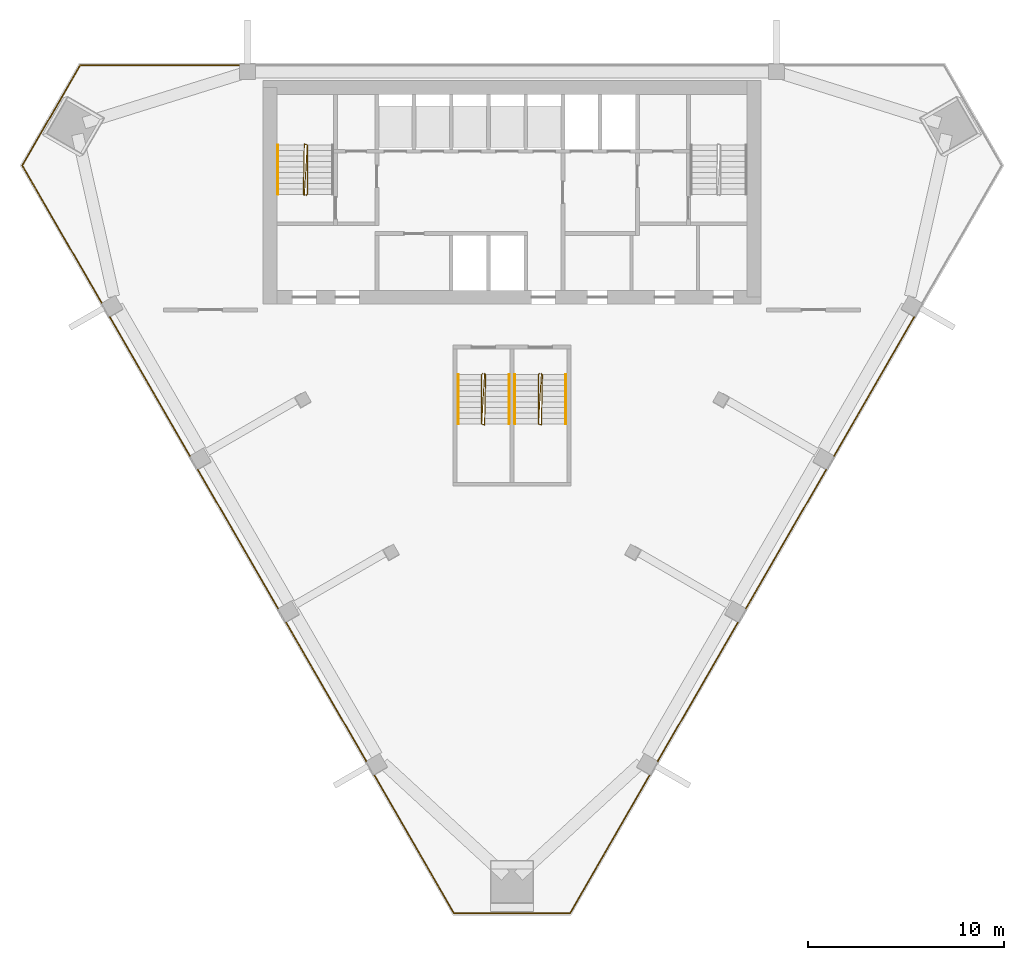
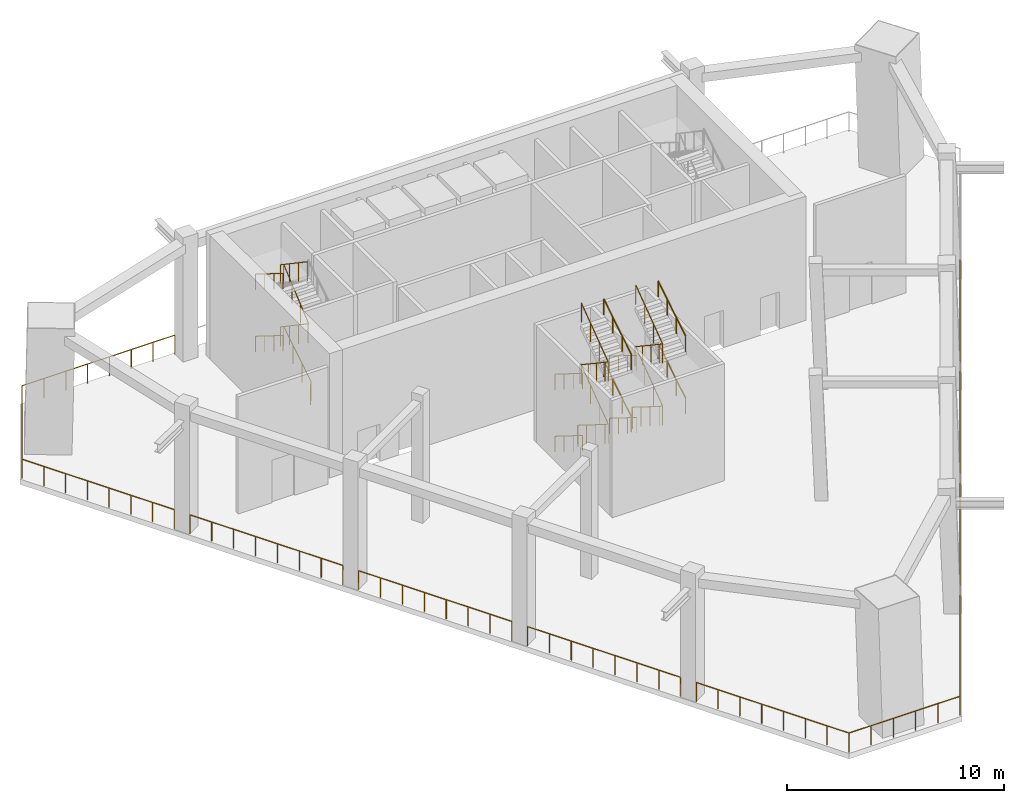
# One storey, part 4 of 6: 21 railings.
"""IFC4 building model written with IfcOpenShell, lengths in metres."""

from ifc_helpers import new_model, si_unit, direction, frame, origin, origin_2d, place, context, subcontext, project, spatial, circle, extrude, material, type_object, element, save


model = new_model("IFC4")

# Units and contexts
model_context = context("Model", 3, precision=1e-05, world=origin(), true_north=direction((0.0, 1.0)))
body_context = subcontext(model_context, "Body", "Model", "MODEL_VIEW")
ifc_project = project(units=[si_unit("LENGTHUNIT", "METRE"), si_unit("AREAUNIT", "SQUARE_METRE"), si_unit("VOLUMEUNIT", "CUBIC_METRE"), si_unit("PLANEANGLEUNIT", "RADIAN"), si_unit("MASSUNIT", "GRAM", prefix="KILO")], contexts=[model_context])

# Site, building, storey
site_placement = place(None, origin())
site = spatial("IfcSite", under=ifc_project, at=site_placement, CompositionType="ELEMENT")
building_placement = place(site_placement, origin())
building = spatial("IfcBuilding", under=site, at=building_placement, Name="Altiplano Prism Tower", CompositionType="ELEMENT")
storey_placement = place(building_placement, frame((0.0, 0.0, 212.39990234375)))
storey = spatial("IfcBuildingStorey", under=building, at=storey_placement, Name="L55", CompositionType="ELEMENT", Elevation=212.39990234375)

# Railings
ifc_material = material(Name="Steel S355", Category="steel")
railing_type_1 = type_object("IfcRailingType", Name="Open-edge guard 1100", PredefinedType="GUARDRAIL", material=ifc_material)
for number, where, name in (
    (1, (105.5302734375, 92.02978515625, 0.0), "Open-edge guard L55"),
    (2, (101.0302734375, 84.235595703125, 0.0), "Open-edge guard L55"),
    (3, (96.5302734375, 76.44140625, 0.0), "Open-edge guard L55"),
):
    element("IfcRailing", number, at=place(storey_placement, frame(where)), inside=storey, type_object=railing_type_1, Name=name, PredefinedType="GUARDRAIL", context=body_context, shape_type="SweptSolid", body=[
        extrude(circle(Radius=0.02490234375, at=origin_2d()), frame((0.0, 0.0, 1.0751953125), z_axis=(-0.500001788232, -0.866024371346, 0.0), x_axis=(0.866024371346, -0.500001788232, 0.0)), (0.0, 0.0, 1.0), 8.1708984375),
        extrude(circle(Radius=0.02490234375, at=origin_2d()), origin(), (0.0, 0.0, 1.0), 1.050048828125),
        extrude(circle(Radius=0.02490234375, at=origin_2d()), frame((-0.583740234375, -1.010986328125, 0.0)), (0.0, 0.0, 1.0), 1.050048828125),
        extrude(circle(Radius=0.02490234375, at=origin_2d()), frame((-1.167236328125, -2.021728515625, 0.0)), (0.0, 0.0, 1.0), 1.050048828125),
        extrude(circle(Radius=0.02490234375, at=origin_2d()), frame((-1.7509765625, -3.03271484375, 0.0)), (0.0, 0.0, 1.0), 1.050048828125),
        extrude(circle(Radius=0.02490234375, at=origin_2d()), frame((-2.33447265625, -4.04345703125, 0.0)), (0.0, 0.0, 1.0), 1.050048828125),
        extrude(circle(Radius=0.02490234375, at=origin_2d()), frame((-2.918212890625, -5.054443359375, 0.0)), (0.0, 0.0, 1.0), 1.050048828125),
        extrude(circle(Radius=0.02490234375, at=origin_2d()), frame((-3.501708984375, -6.065185546875, 0.0)), (0.0, 0.0, 1.0), 1.050048828125),
        extrude(circle(Radius=0.02490234375, at=origin_2d()), frame((-4.08544921875, -7.076171875, 0.0)), (0.0, 0.0, 1.0), 1.050048828125),
    ])
railing_1_placement = place(storey_placement, frame((92.0302734375, 68.647216796875, 0.0)))
element("IfcRailing", 4, at=railing_1_placement, inside=storey, type_object=railing_type_1, Name="Open-edge guard L55", PredefinedType="GUARDRAIL", context=body_context, shape_type="SweptSolid", body=[
    extrude(circle(Radius=0.02490234375, at=origin_2d()), frame((0.0, 0.0, 1.0751953125), z_axis=(-0.500000246922, -0.866025261224, 0.0), x_axis=(0.866025261224, -0.500000246922, 0.0)), (0.0, 0.0, 1.0), 8.14013671875),
    extrude(circle(Radius=0.02490234375, at=origin_2d()), frame((-4.070068359375, -7.049560546875, 1.0751953125), z_axis=(-1.0, 0.0, 0.0), x_axis=(0.0, -1.0, 0.0)), (0.0, 0.0, 1.0), 5.92041015625),
    extrude(circle(Radius=0.02490234375, at=origin_2d()), frame((-9.990478515625, -7.049560546875, 1.0751953125), z_axis=(-0.500000246922, 0.866025261224, 0.0), x_axis=(-0.866025261224, -0.500000246922, 0.0)), (0.0, 0.0, 1.0), 8.14013671875),
    extrude(circle(Radius=0.02490234375, at=origin_2d()), origin(), (0.0, 0.0, 1.0), 1.050048828125),
    extrude(circle(Radius=0.02490234375, at=origin_2d()), frame((-0.58154296875, -1.007080078125, 0.0)), (0.0, 0.0, 1.0), 1.050048828125),
    extrude(circle(Radius=0.02490234375, at=origin_2d()), frame((-1.162841796875, -2.01416015625, 0.0)), (0.0, 0.0, 1.0), 1.050048828125),
    extrude(circle(Radius=0.02490234375, at=origin_2d()), frame((-1.744384765625, -3.021240234375, 0.0)), (0.0, 0.0, 1.0), 1.050048828125),
    extrude(circle(Radius=0.02490234375, at=origin_2d()), frame((-2.32568359375, -4.0283203125, 0.0)), (0.0, 0.0, 1.0), 1.050048828125),
    extrude(circle(Radius=0.02490234375, at=origin_2d()), frame((-2.9072265625, -5.035400390625, 0.0)), (0.0, 0.0, 1.0), 1.050048828125),
    extrude(circle(Radius=0.02490234375, at=origin_2d()), frame((-3.488525390625, -6.04248046875, 0.0)), (0.0, 0.0, 1.0), 1.050048828125),
    extrude(circle(Radius=0.02490234375, at=origin_2d()), frame((-4.070068359375, -7.049560546875, 0.0)), (0.0, 0.0, 1.0), 1.050048828125),
    extrude(circle(Radius=0.02490234375, at=origin_2d()), frame((-5.254150390625, -7.049560546875, 0.0)), (0.0, 0.0, 1.0), 1.050048828125),
    extrude(circle(Radius=0.02490234375, at=origin_2d()), frame((-6.438232421875, -7.049560546875, 0.0)), (0.0, 0.0, 1.0), 1.050048828125),
    extrude(circle(Radius=0.02490234375, at=origin_2d()), frame((-7.622314453125, -7.049560546875, 0.0)), (0.0, 0.0, 1.0), 1.050048828125),
    extrude(circle(Radius=0.02490234375, at=origin_2d()), frame((-8.806396484375, -7.049560546875, 0.0)), (0.0, 0.0, 1.0), 1.050048828125),
    extrude(circle(Radius=0.02490234375, at=origin_2d()), frame((-9.990478515625, -7.049560546875, 0.0)), (0.0, 0.0, 1.0), 1.050048828125),
    extrude(circle(Radius=0.02490234375, at=origin_2d()), frame((-10.572021484375, -6.04248046875, 0.0)), (0.0, 0.0, 1.0), 1.050048828125),
    extrude(circle(Radius=0.02490234375, at=origin_2d()), frame((-11.1533203125, -5.035400390625, 0.0)), (0.0, 0.0, 1.0), 1.050048828125),
    extrude(circle(Radius=0.02490234375, at=origin_2d()), frame((-11.73486328125, -4.0283203125, 0.0)), (0.0, 0.0, 1.0), 1.050048828125),
    extrude(circle(Radius=0.02490234375, at=origin_2d()), frame((-12.316162109375, -3.021240234375, 0.0)), (0.0, 0.0, 1.0), 1.050048828125),
    extrude(circle(Radius=0.02490234375, at=origin_2d()), frame((-12.897705078125, -2.01416015625, 0.0)), (0.0, 0.0, 1.0), 1.050048828125),
    extrude(circle(Radius=0.02490234375, at=origin_2d()), frame((-13.47900390625, -1.007080078125, 0.0)), (0.0, 0.0, 1.0), 1.050048828125),
    extrude(circle(Radius=0.02490234375, at=origin_2d()), frame((-14.060546875, 0.0, 0.0)), (0.0, 0.0, 1.0), 1.050048828125),
])
for number, where, name in (
    (5, (77.55517578125, 69.365234375, 0.0), "Open-edge guard L55"),
    (6, (73.05517578125, 77.159423828125, 0.0), "Open-edge guard L55"),
    (7, (68.55517578125, 84.95361328125, 0.0), "Open-edge guard L55"),
):
    element("IfcRailing", number, at=place(storey_placement, frame(where)), inside=storey, type_object=railing_type_1, Name=name, PredefinedType="GUARDRAIL", context=body_context, shape_type="SweptSolid", body=[
        extrude(circle(Radius=0.02490234375, at=origin_2d()), frame((0.0, 0.0, 1.0751953125), z_axis=(-0.500001788232, 0.866024371346, 0.0), x_axis=(-0.866024371346, -0.500001788232, 0.0)), (0.0, 0.0, 1.0), 8.1708984375),
        extrude(circle(Radius=0.02490234375, at=origin_2d()), origin(), (0.0, 0.0, 1.0), 1.050048828125),
        extrude(circle(Radius=0.02490234375, at=origin_2d()), frame((-0.583740234375, 1.010986328125, 0.0)), (0.0, 0.0, 1.0), 1.050048828125),
        extrude(circle(Radius=0.02490234375, at=origin_2d()), frame((-1.167236328125, 2.021728515625, 0.0)), (0.0, 0.0, 1.0), 1.050048828125),
        extrude(circle(Radius=0.02490234375, at=origin_2d()), frame((-1.7509765625, 3.03271484375, 0.0)), (0.0, 0.0, 1.0), 1.050048828125),
        extrude(circle(Radius=0.02490234375, at=origin_2d()), frame((-2.33447265625, 4.04345703125, 0.0)), (0.0, 0.0, 1.0), 1.050048828125),
        extrude(circle(Radius=0.02490234375, at=origin_2d()), frame((-2.918212890625, 5.054443359375, 0.0)), (0.0, 0.0, 1.0), 1.050048828125),
        extrude(circle(Radius=0.02490234375, at=origin_2d()), frame((-3.501708984375, 6.065185546875, 0.0)), (0.0, 0.0, 1.0), 1.050048828125),
        extrude(circle(Radius=0.02490234375, at=origin_2d()), frame((-4.08544921875, 7.076171875, 0.0)), (0.0, 0.0, 1.0), 1.050048828125),
    ])
railing_2_placement = place(storey_placement, frame((64.05517578125, 92.747802734375, 0.0)))
element("IfcRailing", 8, at=railing_2_placement, inside=storey, type_object=railing_type_1, Name="Open-edge guard L55", PredefinedType="GUARDRAIL", context=body_context, shape_type="SweptSolid", body=[
    extrude(circle(Radius=0.02490234375, at=origin_2d()), frame((0.0, 0.0, 1.0751953125), z_axis=(-0.499984725761, 0.866034222191, 0.0), x_axis=(-0.866034222191, -0.499984725761, 0.0)), (0.0, 0.0, 1.0), 8.111572265625),
    extrude(circle(Radius=0.02490234375, at=origin_2d()), frame((-4.0556640625, 7.02490234375, 1.0751953125), z_axis=(0.500002072072, 0.86602420747, 0.0), x_axis=(-0.86602420747, 0.500002072072, 0.0)), (0.0, 0.0, 1.0), 5.92041015625),
    extrude(circle(Radius=0.02490234375, at=origin_2d()), frame((-1.095458984375, 12.152099609375, 1.0751953125), z_axis=(1.0, 0.0, 0.0), x_axis=(0.0, 1.0, 0.0)), (0.0, 0.0, 1.0), 8.140380859375),
    extrude(circle(Radius=0.02490234375, at=origin_2d()), origin(), (0.0, 0.0, 1.0), 1.050048828125),
    extrude(circle(Radius=0.02490234375, at=origin_2d()), frame((-0.579345703125, 1.003662109375, 0.0)), (0.0, 0.0, 1.0), 1.050048828125),
    extrude(circle(Radius=0.02490234375, at=origin_2d()), frame((-1.15869140625, 2.007080078125, 0.0)), (0.0, 0.0, 1.0), 1.050048828125),
    extrude(circle(Radius=0.02490234375, at=origin_2d()), frame((-1.738037109375, 3.0107421875, 0.0)), (0.0, 0.0, 1.0), 1.050048828125),
    extrude(circle(Radius=0.02490234375, at=origin_2d()), frame((-2.317626953125, 4.01416015625, 0.0)), (0.0, 0.0, 1.0), 1.050048828125),
    extrude(circle(Radius=0.02490234375, at=origin_2d()), frame((-2.89697265625, 5.017822265625, 0.0)), (0.0, 0.0, 1.0), 1.050048828125),
    extrude(circle(Radius=0.02490234375, at=origin_2d()), frame((-3.476318359375, 6.021240234375, 0.0)), (0.0, 0.0, 1.0), 1.050048828125),
    extrude(circle(Radius=0.02490234375, at=origin_2d()), frame((-4.0556640625, 7.02490234375, 0.0)), (0.0, 0.0, 1.0), 1.050048828125),
    extrude(circle(Radius=0.02490234375, at=origin_2d()), frame((-3.463623046875, 8.05029296875, 0.0)), (0.0, 0.0, 1.0), 1.050048828125),
    extrude(circle(Radius=0.02490234375, at=origin_2d()), frame((-2.87158203125, 9.07568359375, 0.0)), (0.0, 0.0, 1.0), 1.050048828125),
    extrude(circle(Radius=0.02490234375, at=origin_2d()), frame((-2.279541015625, 10.101318359375, 0.0)), (0.0, 0.0, 1.0), 1.050048828125),
    extrude(circle(Radius=0.02490234375, at=origin_2d()), frame((-1.6875, 11.126708984375, 0.0)), (0.0, 0.0, 1.0), 1.050048828125),
    extrude(circle(Radius=0.02490234375, at=origin_2d()), frame((-1.095458984375, 12.152099609375, 0.0)), (0.0, 0.0, 1.0), 1.050048828125),
    extrude(circle(Radius=0.02490234375, at=origin_2d()), frame((0.0673828125, 12.152099609375, 0.0)), (0.0, 0.0, 1.0), 1.050048828125),
    extrude(circle(Radius=0.02490234375, at=origin_2d()), frame((1.23046875, 12.152099609375, 0.0)), (0.0, 0.0, 1.0), 1.050048828125),
    extrude(circle(Radius=0.02490234375, at=origin_2d()), frame((2.393310546875, 12.152099609375, 0.0)), (0.0, 0.0, 1.0), 1.050048828125),
    extrude(circle(Radius=0.02490234375, at=origin_2d()), frame((3.55615234375, 12.152099609375, 0.0)), (0.0, 0.0, 1.0), 1.050048828125),
    extrude(circle(Radius=0.02490234375, at=origin_2d()), frame((4.718994140625, 12.152099609375, 0.0)), (0.0, 0.0, 1.0), 1.050048828125),
    extrude(circle(Radius=0.02490234375, at=origin_2d()), frame((5.882080078125, 12.152099609375, 0.0)), (0.0, 0.0, 1.0), 1.050048828125),
    extrude(circle(Radius=0.02490234375, at=origin_2d()), frame((7.044921875, 12.152099609375, 0.0)), (0.0, 0.0, 1.0), 1.050048828125),
])
railing_type_2 = type_object("IfcRailingType", Name="Stair guard 1100", PredefinedType="GUARDRAIL", material=ifc_material)
railing_3_placement = place(storey_placement, frame((74.5, 98.25, 0.0)))
element("IfcRailing", 9, at=railing_3_placement, inside=storey, type_object=railing_type_2, Name="L55 ST1 stair guard 1", PredefinedType="GUARDRAIL", context=body_context, shape_type="SweptSolid", body=[
    extrude(circle(Radius=0.02392578125, at=origin_2d()), frame((0.0, 0.0, 1.076171875), z_axis=(0.265065253269, 0.265065253269, 0.927081885822), x_axis=(-0.707106781187, 0.707106781187, 0.0)), (0.0, 0.0, 1.0), 0.188720703125),
    extrude(circle(Radius=0.02392578125, at=origin_2d()), frame((0.050048828125, 0.050048828125, 1.2509765625), z_axis=(0.0, 0.848007534815, 0.529984170421), x_axis=(-1.0, 0.0, 0.0)), (0.0, 0.0, 1.0), 2.9716796875),
    extrude(circle(Radius=0.02392578125, at=origin_2d()), frame((0.050048828125, 2.570068359375, 2.826171875), z_axis=(-0.948683298051, 0.316227766017, 0.0), x_axis=(-0.316227766017, -0.948683298051, 0.0)), (0.0, 0.0, 1.0), 0.158203125),
    extrude(circle(Radius=0.02392578125, at=origin_2d()), frame((-0.10009765625, 2.6201171875, 2.826171875), z_axis=(-0.016015915746, -0.826468358111, 0.562755314044), x_axis=(0.999812285079, -0.019375102703, 0.0)), (0.0, 0.0, 1.0), 3.109619140625),
    extrude(circle(Radius=0.02392578125, at=origin_2d()), frame((-0.14990234375, 0.050048828125, 4.576171875), z_axis=(0.705375805398, -0.708833529934, 0.0), x_axis=(0.708833529934, 0.705375805398, 0.0)), (0.0, 0.0, 1.0), 0.070556640625),
    extrude(circle(Radius=0.02392578125, at=origin_2d()), frame((-0.10009765625, 0.0, 4.576171875), z_axis=(0.048233264988, 0.825612326066, 0.56217242835), x_axis=(-0.998297837463, 0.058321760239, 0.0)), (0.0, 0.0, 1.0), 3.113037109375),
    extrude(circle(Radius=0.02392578125, at=origin_2d()), frame((0.050048828125, 2.570068359375, 6.326171875), z_axis=(-0.948683298051, 0.316227766017, 0.0), x_axis=(-0.316227766017, -0.948683298051, 0.0)), (0.0, 0.0, 1.0), 0.158203125),
    extrude(circle(Radius=0.02392578125, at=origin_2d()), frame((-0.10009765625, 2.6201171875, 6.326171875), z_axis=(-0.016015915746, -0.826468358111, 0.562755314044), x_axis=(0.999812285079, -0.019375102703, 0.0)), (0.0, 0.0, 1.0), 3.109619140625),
    extrude(circle(Radius=0.02099609375, at=origin_2d()), origin(), (0.0, 0.0, 1.0), 1.052001953125),
    extrude(circle(Radius=0.02099609375, at=origin_2d()), frame((0.050048828125, 0.050048828125, 0.175048828125)), (0.0, 0.0, 1.0), 1.052001953125),
    extrude(circle(Radius=0.02099609375, at=origin_2d()), frame((0.050048828125, 0.89013671875, 0.699951171875)), (0.0, 0.0, 1.0), 1.052001953125),
    extrude(circle(Radius=0.02099609375, at=origin_2d()), frame((0.050048828125, 1.72998046875, 1.22509765625)), (0.0, 0.0, 1.0), 1.052001953125),
    extrude(circle(Radius=0.02099609375, at=origin_2d()), frame((0.050048828125, 2.570068359375, 1.75)), (0.0, 0.0, 1.0), 1.052001953125),
    extrude(circle(Radius=0.02099609375, at=origin_2d()), frame((-0.10009765625, 2.6201171875, 1.75)), (0.0, 0.0, 1.0), 1.052001953125),
    extrude(circle(Radius=0.02099609375, at=origin_2d()), frame((-0.11669921875, 1.763427734375, 2.333251953125)), (0.0, 0.0, 1.0), 1.052001953125),
    extrude(circle(Radius=0.02099609375, at=origin_2d()), frame((-0.13330078125, 0.90673828125, 2.916748046875)), (0.0, 0.0, 1.0), 1.052001953125),
    extrude(circle(Radius=0.02099609375, at=origin_2d()), frame((-0.14990234375, 0.050048828125, 3.5)), (0.0, 0.0, 1.0), 1.052001953125),
    extrude(circle(Radius=0.02099609375, at=origin_2d()), frame((-0.10009765625, 0.0, 3.5)), (0.0, 0.0, 1.0), 1.052001953125),
    extrude(circle(Radius=0.02099609375, at=origin_2d()), frame((-0.050048828125, 0.856689453125, 4.083251953125)), (0.0, 0.0, 1.0), 1.052001953125),
    extrude(circle(Radius=0.02099609375, at=origin_2d()), frame((0.0, 1.71337890625, 4.666748046875)), (0.0, 0.0, 1.0), 1.052001953125),
    extrude(circle(Radius=0.02099609375, at=origin_2d()), frame((0.050048828125, 2.570068359375, 5.25)), (0.0, 0.0, 1.0), 1.052001953125),
    extrude(circle(Radius=0.02099609375, at=origin_2d()), frame((-0.10009765625, 2.6201171875, 5.25)), (0.0, 0.0, 1.0), 1.052001953125),
    extrude(circle(Radius=0.02099609375, at=origin_2d()), frame((-0.11669921875, 1.763427734375, 5.833251953125)), (0.0, 0.0, 1.0), 1.052001953125),
    extrude(circle(Radius=0.02099609375, at=origin_2d()), frame((-0.13330078125, 0.90673828125, 6.416748046875)), (0.0, 0.0, 1.0), 1.052001953125),
    extrude(circle(Radius=0.02099609375, at=origin_2d()), frame((-0.14990234375, 0.050048828125, 7.0)), (0.0, 0.0, 1.0), 1.052001953125),
])
railing_4_placement = place(storey_placement, frame((83.5, 89.14990234375, 0.0)))
element("IfcRailing", 10, at=railing_4_placement, inside=storey, type_object=railing_type_2, Name="L55 ST3A stair guard 1", PredefinedType="GUARDRAIL", context=body_context, shape_type="SweptSolid", body=[
    extrude(circle(Radius=0.02392578125, at=origin_2d()), frame((0.0, 0.0, 1.076171875), z_axis=(-0.265155923931, -0.263862480399, 0.927399011991), x_axis=(0.705375805398, -0.708833529934, 0.0)), (0.0, 0.0, 1.0), 0.188720703125),
    extrude(circle(Radius=0.02392578125, at=origin_2d()), frame((-0.050048828125, -0.0498046875, 1.2509765625), z_axis=(0.0, -0.848007534815, 0.529984170421), x_axis=(1.0, 0.0, 0.0)), (0.0, 0.0, 1.0), 2.9716796875),
    extrude(circle(Radius=0.02392578125, at=origin_2d()), frame((-0.050048828125, -2.56982421875, 2.826171875), z_axis=(0.948683298051, -0.316227766017, 0.0), x_axis=(0.316227766017, 0.948683298051, 0.0)), (0.0, 0.0, 1.0), 0.158203125),
    extrude(circle(Radius=0.02392578125, at=origin_2d()), frame((0.10009765625, -2.619873046875, 2.826171875), z_axis=(0.016015915746, 0.826468358111, 0.562755314044), x_axis=(-0.999812285079, 0.019375102703, 0.0)), (0.0, 0.0, 1.0), 3.109619140625),
    extrude(circle(Radius=0.02392578125, at=origin_2d()), frame((0.14990234375, -0.0498046875, 4.576171875), z_axis=(-0.707106781187, 0.707106781187, 0.0), x_axis=(-0.707106781187, -0.707106781187, 0.0)), (0.0, 0.0, 1.0), 0.0703125),
    extrude(circle(Radius=0.02392578125, at=origin_2d()), frame((0.10009765625, 0.0, 4.576171875), z_axis=(-0.048236388304, -0.825587354943, 0.562208831487), x_axis=(0.998297514852, -0.058327282124, 0.0)), (0.0, 0.0, 1.0), 3.11279296875),
    extrude(circle(Radius=0.02392578125, at=origin_2d()), frame((-0.050048828125, -2.56982421875, 6.326171875), z_axis=(0.948683298051, -0.316227766017, 0.0), x_axis=(0.316227766017, 0.948683298051, 0.0)), (0.0, 0.0, 1.0), 0.158203125),
    extrude(circle(Radius=0.02392578125, at=origin_2d()), frame((0.10009765625, -2.619873046875, 6.326171875), z_axis=(0.016015915746, 0.826468358111, 0.562755314044), x_axis=(-0.999812285079, 0.019375102703, 0.0)), (0.0, 0.0, 1.0), 3.109619140625),
    extrude(circle(Radius=0.02099609375, at=origin_2d()), origin(), (0.0, 0.0, 1.0), 1.052001953125),
    extrude(circle(Radius=0.02099609375, at=origin_2d()), frame((-0.050048828125, -0.0498046875, 0.175048828125)), (0.0, 0.0, 1.0), 1.052001953125),
    extrude(circle(Radius=0.02099609375, at=origin_2d()), frame((-0.050048828125, -0.889892578125, 0.699951171875)), (0.0, 0.0, 1.0), 1.052001953125),
    extrude(circle(Radius=0.02099609375, at=origin_2d()), frame((-0.050048828125, -1.729736328125, 1.22509765625)), (0.0, 0.0, 1.0), 1.052001953125),
    extrude(circle(Radius=0.02099609375, at=origin_2d()), frame((-0.050048828125, -2.56982421875, 1.75)), (0.0, 0.0, 1.0), 1.052001953125),
    extrude(circle(Radius=0.02099609375, at=origin_2d()), frame((0.10009765625, -2.619873046875, 1.75)), (0.0, 0.0, 1.0), 1.052001953125),
    extrude(circle(Radius=0.02099609375, at=origin_2d()), frame((0.11669921875, -1.76318359375, 2.333251953125)), (0.0, 0.0, 1.0), 1.052001953125),
    extrude(circle(Radius=0.02099609375, at=origin_2d()), frame((0.13330078125, -0.906494140625, 2.916748046875)), (0.0, 0.0, 1.0), 1.052001953125),
    extrude(circle(Radius=0.02099609375, at=origin_2d()), frame((0.14990234375, -0.0498046875, 3.5)), (0.0, 0.0, 1.0), 1.052001953125),
    extrude(circle(Radius=0.02099609375, at=origin_2d()), frame((0.10009765625, 0.0, 3.5)), (0.0, 0.0, 1.0), 1.052001953125),
    extrude(circle(Radius=0.02099609375, at=origin_2d()), frame((0.050048828125, -0.856689453125, 4.083251953125)), (0.0, 0.0, 1.0), 1.052001953125),
    extrude(circle(Radius=0.02099609375, at=origin_2d()), frame((0.0, -1.713134765625, 4.666748046875)), (0.0, 0.0, 1.0), 1.052001953125),
    extrude(circle(Radius=0.02099609375, at=origin_2d()), frame((-0.050048828125, -2.56982421875, 5.25)), (0.0, 0.0, 1.0), 1.052001953125),
    extrude(circle(Radius=0.02099609375, at=origin_2d()), frame((0.10009765625, -2.619873046875, 5.25)), (0.0, 0.0, 1.0), 1.052001953125),
    extrude(circle(Radius=0.02099609375, at=origin_2d()), frame((0.11669921875, -1.76318359375, 5.833251953125)), (0.0, 0.0, 1.0), 1.052001953125),
    extrude(circle(Radius=0.02099609375, at=origin_2d()), frame((0.13330078125, -0.906494140625, 6.416748046875)), (0.0, 0.0, 1.0), 1.052001953125),
    extrude(circle(Radius=0.02099609375, at=origin_2d()), frame((0.14990234375, -0.0498046875, 7.0)), (0.0, 0.0, 1.0), 1.052001953125),
])
railing_5_placement = place(storey_placement, frame((86.39990234375, 89.14990234375, 0.0)))
element("IfcRailing", 11, at=railing_5_placement, inside=storey, type_object=railing_type_2, Name="L55 ST3B stair guard 1", PredefinedType="GUARDRAIL", context=body_context, shape_type="SweptSolid", body=[
    extrude(circle(Radius=0.02392578125, at=origin_2d()), frame((0.0, 0.0, 1.076171875), z_axis=(-0.263952801422, -0.263952801422, 0.92771646382), x_axis=(0.707106781187, -0.707106781187, 0.0)), (0.0, 0.0, 1.0), 0.188720703125),
    extrude(circle(Radius=0.02392578125, at=origin_2d()), frame((-0.0498046875, -0.0498046875, 1.2509765625), z_axis=(0.0, -0.848007534815, 0.529984170421), x_axis=(1.0, 0.0, 0.0)), (0.0, 0.0, 1.0), 2.9716796875),
    extrude(circle(Radius=0.02392578125, at=origin_2d()), frame((-0.0498046875, -2.56982421875, 2.826171875), z_axis=(0.948528701346, -0.316691178788, 0.0), x_axis=(0.316691178788, 0.948528701346, 0.0)), (0.0, 0.0, 1.0), 0.157958984375),
    extrude(circle(Radius=0.02392578125, at=origin_2d()), frame((0.10009765625, -2.619873046875, 2.826171875), z_axis=(0.01609440485, 0.826467316365, 0.562754604702), x_axis=(-0.999810440751, 0.019470042781, 0.0)), (0.0, 0.0, 1.0), 3.109619140625),
    extrude(circle(Radius=0.02392578125, at=origin_2d()), frame((0.150146484375, -0.0498046875, 4.576171875), z_axis=(-0.708833529934, 0.705375805398, 0.0), x_axis=(-0.705375805398, -0.708833529934, 0.0)), (0.0, 0.0, 1.0), 0.070556640625),
    extrude(circle(Radius=0.02392578125, at=origin_2d()), frame((0.10009765625, 0.0, 4.576171875), z_axis=(-0.048158137203, -0.825590475892, 0.562210956792), x_axis=(0.998303032814, -0.058232762887, 0.0)), (0.0, 0.0, 1.0), 3.11279296875),
    extrude(circle(Radius=0.02392578125, at=origin_2d()), frame((-0.0498046875, -2.56982421875, 6.326171875), z_axis=(0.948528701346, -0.316691178788, 0.0), x_axis=(0.316691178788, 0.948528701346, 0.0)), (0.0, 0.0, 1.0), 0.157958984375),
    extrude(circle(Radius=0.02392578125, at=origin_2d()), frame((0.10009765625, -2.619873046875, 6.326171875), z_axis=(0.01609440485, 0.826467316365, 0.562754604702), x_axis=(-0.999810440751, 0.019470042781, 0.0)), (0.0, 0.0, 1.0), 3.109619140625),
    extrude(circle(Radius=0.02099609375, at=origin_2d()), origin(), (0.0, 0.0, 1.0), 1.052001953125),
    extrude(circle(Radius=0.02099609375, at=origin_2d()), frame((-0.0498046875, -0.0498046875, 0.175048828125)), (0.0, 0.0, 1.0), 1.052001953125),
    extrude(circle(Radius=0.02099609375, at=origin_2d()), frame((-0.0498046875, -0.889892578125, 0.699951171875)), (0.0, 0.0, 1.0), 1.052001953125),
    extrude(circle(Radius=0.02099609375, at=origin_2d()), frame((-0.0498046875, -1.729736328125, 1.22509765625)), (0.0, 0.0, 1.0), 1.052001953125),
    extrude(circle(Radius=0.02099609375, at=origin_2d()), frame((-0.0498046875, -2.56982421875, 1.75)), (0.0, 0.0, 1.0), 1.052001953125),
    extrude(circle(Radius=0.02099609375, at=origin_2d()), frame((0.10009765625, -2.619873046875, 1.75)), (0.0, 0.0, 1.0), 1.052001953125),
    extrude(circle(Radius=0.02099609375, at=origin_2d()), frame((0.11669921875, -1.76318359375, 2.333251953125)), (0.0, 0.0, 1.0), 1.052001953125),
    extrude(circle(Radius=0.02099609375, at=origin_2d()), frame((0.133544921875, -0.906494140625, 2.916748046875)), (0.0, 0.0, 1.0), 1.052001953125),
    extrude(circle(Radius=0.02099609375, at=origin_2d()), frame((0.150146484375, -0.0498046875, 3.5)), (0.0, 0.0, 1.0), 1.052001953125),
    extrude(circle(Radius=0.02099609375, at=origin_2d()), frame((0.10009765625, 0.0, 3.5)), (0.0, 0.0, 1.0), 1.052001953125),
    extrude(circle(Radius=0.02099609375, at=origin_2d()), frame((0.050048828125, -0.856689453125, 4.083251953125)), (0.0, 0.0, 1.0), 1.052001953125),
    extrude(circle(Radius=0.02099609375, at=origin_2d()), frame((0.000244140625, -1.713134765625, 4.666748046875)), (0.0, 0.0, 1.0), 1.052001953125),
    extrude(circle(Radius=0.02099609375, at=origin_2d()), frame((-0.0498046875, -2.56982421875, 5.25)), (0.0, 0.0, 1.0), 1.052001953125),
    extrude(circle(Radius=0.02099609375, at=origin_2d()), frame((0.10009765625, -2.619873046875, 5.25)), (0.0, 0.0, 1.0), 1.052001953125),
    extrude(circle(Radius=0.02099609375, at=origin_2d()), frame((0.11669921875, -1.76318359375, 5.833251953125)), (0.0, 0.0, 1.0), 1.052001953125),
    extrude(circle(Radius=0.02099609375, at=origin_2d()), frame((0.133544921875, -0.906494140625, 6.416748046875)), (0.0, 0.0, 1.0), 1.052001953125),
    extrude(circle(Radius=0.02099609375, at=origin_2d()), frame((0.150146484375, -0.0498046875, 7.0)), (0.0, 0.0, 1.0), 1.052001953125),
])
railing_type_3 = type_object("IfcRailingType", Name="Stair handrail 900", PredefinedType="HANDRAIL", material=ifc_material)
for number, where, name in (
    (12, (73.050048828125, 100.820068359375, 1.925048828125), "L55 ST1 stair handrail 2"),
    (13, (73.050048828125, 100.820068359375, 5.425048828125), "L55 ST1 stair handrail 4"),
    (14, (82.25, 89.10009765625, 0.175048828125), "L55 ST3A stair handrail 1"),
):
    element("IfcRailing", number, at=place(storey_placement, frame(where)), inside=storey, type_object=railing_type_3, Name=name, PredefinedType="HANDRAIL", context=body_context, shape_type="SweptSolid", body=[
        extrude(circle(Radius=0.02392578125, at=origin_2d()), frame((0.0, 0.0, 0.8759765625), z_axis=(0.0, -0.848007534815, 0.529984170421), x_axis=(1.0, 0.0, 0.0)), (0.0, 0.0, 1.0), 2.9716796875),
        extrude(circle(Radius=0.02099609375, at=origin_2d()), origin(), (0.0, 0.0, 1.0), 0.851806640625),
        extrude(circle(Radius=0.02099609375, at=origin_2d()), frame((0.0, -0.840087890625, 0.52490234375)), (0.0, 0.0, 1.0), 0.851806640625),
        extrude(circle(Radius=0.02099609375, at=origin_2d()), frame((0.0, -1.679931640625, 1.050048828125)), (0.0, 0.0, 1.0), 0.851806640625),
        extrude(circle(Radius=0.02099609375, at=origin_2d()), frame((0.0, -2.52001953125, 1.574951171875)), (0.0, 0.0, 1.0), 0.851806640625),
    ])
railing_6_placement = place(storey_placement, frame((84.85009765625, 86.580078125, 1.925048828125)))
element("IfcRailing", 15, at=railing_6_placement, inside=storey, type_object=railing_type_3, Name="L55 ST3A stair handrail 2", PredefinedType="HANDRAIL", context=body_context, shape_type="SweptSolid", body=[
    extrude(circle(Radius=0.02392578125, at=origin_2d()), frame((0.0, 0.0, 0.8759765625), z_axis=(0.0, 0.848007534815, 0.529984170421), x_axis=(-1.0, 0.0, 0.0)), (0.0, 0.0, 1.0), 2.9716796875),
    extrude(circle(Radius=0.02099609375, at=origin_2d()), origin(), (0.0, 0.0, 1.0), 0.851806640625),
    extrude(circle(Radius=0.02099609375, at=origin_2d()), frame((0.0, 0.840087890625, 0.52490234375)), (0.0, 0.0, 1.0), 0.851806640625),
    extrude(circle(Radius=0.02099609375, at=origin_2d()), frame((0.0, 1.679931640625, 1.050048828125)), (0.0, 0.0, 1.0), 0.851806640625),
    extrude(circle(Radius=0.02099609375, at=origin_2d()), frame((0.0, 2.52001953125, 1.574951171875)), (0.0, 0.0, 1.0), 0.851806640625),
])
railing_7_placement = place(storey_placement, frame((82.25, 89.10009765625, 3.675048828125)))
element("IfcRailing", 16, at=railing_7_placement, inside=storey, type_object=railing_type_3, Name="L55 ST3A stair handrail 3", PredefinedType="HANDRAIL", context=body_context, shape_type="SweptSolid", body=[
    extrude(circle(Radius=0.02392578125, at=origin_2d()), frame((0.0, 0.0, 0.8759765625), z_axis=(0.0, -0.848007534815, 0.529984170421), x_axis=(1.0, 0.0, 0.0)), (0.0, 0.0, 1.0), 2.9716796875),
    extrude(circle(Radius=0.02099609375, at=origin_2d()), origin(), (0.0, 0.0, 1.0), 0.851806640625),
    extrude(circle(Radius=0.02099609375, at=origin_2d()), frame((0.0, -0.840087890625, 0.52490234375)), (0.0, 0.0, 1.0), 0.851806640625),
    extrude(circle(Radius=0.02099609375, at=origin_2d()), frame((0.0, -1.679931640625, 1.050048828125)), (0.0, 0.0, 1.0), 0.851806640625),
    extrude(circle(Radius=0.02099609375, at=origin_2d()), frame((0.0, -2.52001953125, 1.574951171875)), (0.0, 0.0, 1.0), 0.851806640625),
])
railing_8_placement = place(storey_placement, frame((84.85009765625, 86.580078125, 5.425048828125)))
element("IfcRailing", 17, at=railing_8_placement, inside=storey, type_object=railing_type_3, Name="L55 ST3A stair handrail 4", PredefinedType="HANDRAIL", context=body_context, shape_type="SweptSolid", body=[
    extrude(circle(Radius=0.02392578125, at=origin_2d()), frame((0.0, 0.0, 0.8759765625), z_axis=(0.0, 0.848007534815, 0.529984170421), x_axis=(-1.0, 0.0, 0.0)), (0.0, 0.0, 1.0), 2.9716796875),
    extrude(circle(Radius=0.02099609375, at=origin_2d()), origin(), (0.0, 0.0, 1.0), 0.851806640625),
    extrude(circle(Radius=0.02099609375, at=origin_2d()), frame((0.0, 0.840087890625, 0.52490234375)), (0.0, 0.0, 1.0), 0.851806640625),
    extrude(circle(Radius=0.02099609375, at=origin_2d()), frame((0.0, 1.679931640625, 1.050048828125)), (0.0, 0.0, 1.0), 0.851806640625),
    extrude(circle(Radius=0.02099609375, at=origin_2d()), frame((0.0, 2.52001953125, 1.574951171875)), (0.0, 0.0, 1.0), 0.851806640625),
])
railing_9_placement = place(storey_placement, frame((85.14990234375, 89.10009765625, 0.175048828125)))
element("IfcRailing", 18, at=railing_9_placement, inside=storey, type_object=railing_type_3, Name="L55 ST3B stair handrail 1", PredefinedType="HANDRAIL", context=body_context, shape_type="SweptSolid", body=[
    extrude(circle(Radius=0.02392578125, at=origin_2d()), frame((0.0, 0.0, 0.8759765625), z_axis=(0.0, -0.848007534815, 0.529984170421), x_axis=(1.0, 0.0, 0.0)), (0.0, 0.0, 1.0), 2.9716796875),
    extrude(circle(Radius=0.02099609375, at=origin_2d()), origin(), (0.0, 0.0, 1.0), 0.851806640625),
    extrude(circle(Radius=0.02099609375, at=origin_2d()), frame((0.0, -0.840087890625, 0.52490234375)), (0.0, 0.0, 1.0), 0.851806640625),
    extrude(circle(Radius=0.02099609375, at=origin_2d()), frame((0.0, -1.679931640625, 1.050048828125)), (0.0, 0.0, 1.0), 0.851806640625),
    extrude(circle(Radius=0.02099609375, at=origin_2d()), frame((0.0, -2.52001953125, 1.574951171875)), (0.0, 0.0, 1.0), 0.851806640625),
])
railing_10_placement = place(storey_placement, frame((87.75, 86.580078125, 1.925048828125)))
element("IfcRailing", 19, at=railing_10_placement, inside=storey, type_object=railing_type_3, Name="L55 ST3B stair handrail 2", PredefinedType="HANDRAIL", context=body_context, shape_type="SweptSolid", body=[
    extrude(circle(Radius=0.02392578125, at=origin_2d()), frame((0.0, 0.0, 0.8759765625), z_axis=(0.0, 0.848007534815, 0.529984170421), x_axis=(-1.0, 0.0, 0.0)), (0.0, 0.0, 1.0), 2.9716796875),
    extrude(circle(Radius=0.02099609375, at=origin_2d()), origin(), (0.0, 0.0, 1.0), 0.851806640625),
    extrude(circle(Radius=0.02099609375, at=origin_2d()), frame((0.0, 0.840087890625, 0.52490234375)), (0.0, 0.0, 1.0), 0.851806640625),
    extrude(circle(Radius=0.02099609375, at=origin_2d()), frame((0.0, 1.679931640625, 1.050048828125)), (0.0, 0.0, 1.0), 0.851806640625),
    extrude(circle(Radius=0.02099609375, at=origin_2d()), frame((0.0, 2.52001953125, 1.574951171875)), (0.0, 0.0, 1.0), 0.851806640625),
])
railing_11_placement = place(storey_placement, frame((85.14990234375, 89.10009765625, 3.675048828125)))
element("IfcRailing", 20, at=railing_11_placement, inside=storey, type_object=railing_type_3, Name="L55 ST3B stair handrail 3", PredefinedType="HANDRAIL", context=body_context, shape_type="SweptSolid", body=[
    extrude(circle(Radius=0.02392578125, at=origin_2d()), frame((0.0, 0.0, 0.8759765625), z_axis=(0.0, -0.848007534815, 0.529984170421), x_axis=(1.0, 0.0, 0.0)), (0.0, 0.0, 1.0), 2.9716796875),
    extrude(circle(Radius=0.02099609375, at=origin_2d()), origin(), (0.0, 0.0, 1.0), 0.851806640625),
    extrude(circle(Radius=0.02099609375, at=origin_2d()), frame((0.0, -0.840087890625, 0.52490234375)), (0.0, 0.0, 1.0), 0.851806640625),
    extrude(circle(Radius=0.02099609375, at=origin_2d()), frame((0.0, -1.679931640625, 1.050048828125)), (0.0, 0.0, 1.0), 0.851806640625),
    extrude(circle(Radius=0.02099609375, at=origin_2d()), frame((0.0, -2.52001953125, 1.574951171875)), (0.0, 0.0, 1.0), 0.851806640625),
])
railing_12_placement = place(storey_placement, frame((87.75, 86.580078125, 5.425048828125)))
element("IfcRailing", 21, at=railing_12_placement, inside=storey, type_object=railing_type_3, Name="L55 ST3B stair handrail 4", PredefinedType="HANDRAIL", context=body_context, shape_type="SweptSolid", body=[
    extrude(circle(Radius=0.02392578125, at=origin_2d()), frame((0.0, 0.0, 0.8759765625), z_axis=(0.0, 0.848007534815, 0.529984170421), x_axis=(-1.0, 0.0, 0.0)), (0.0, 0.0, 1.0), 2.9716796875),
    extrude(circle(Radius=0.02099609375, at=origin_2d()), origin(), (0.0, 0.0, 1.0), 0.851806640625),
    extrude(circle(Radius=0.02099609375, at=origin_2d()), frame((0.0, 0.840087890625, 0.52490234375)), (0.0, 0.0, 1.0), 0.851806640625),
    extrude(circle(Radius=0.02099609375, at=origin_2d()), frame((0.0, 1.679931640625, 1.050048828125)), (0.0, 0.0, 1.0), 0.851806640625),
    extrude(circle(Radius=0.02099609375, at=origin_2d()), frame((0.0, 2.52001953125, 1.574951171875)), (0.0, 0.0, 1.0), 0.851806640625),
])

save(model, "model.ifc")
